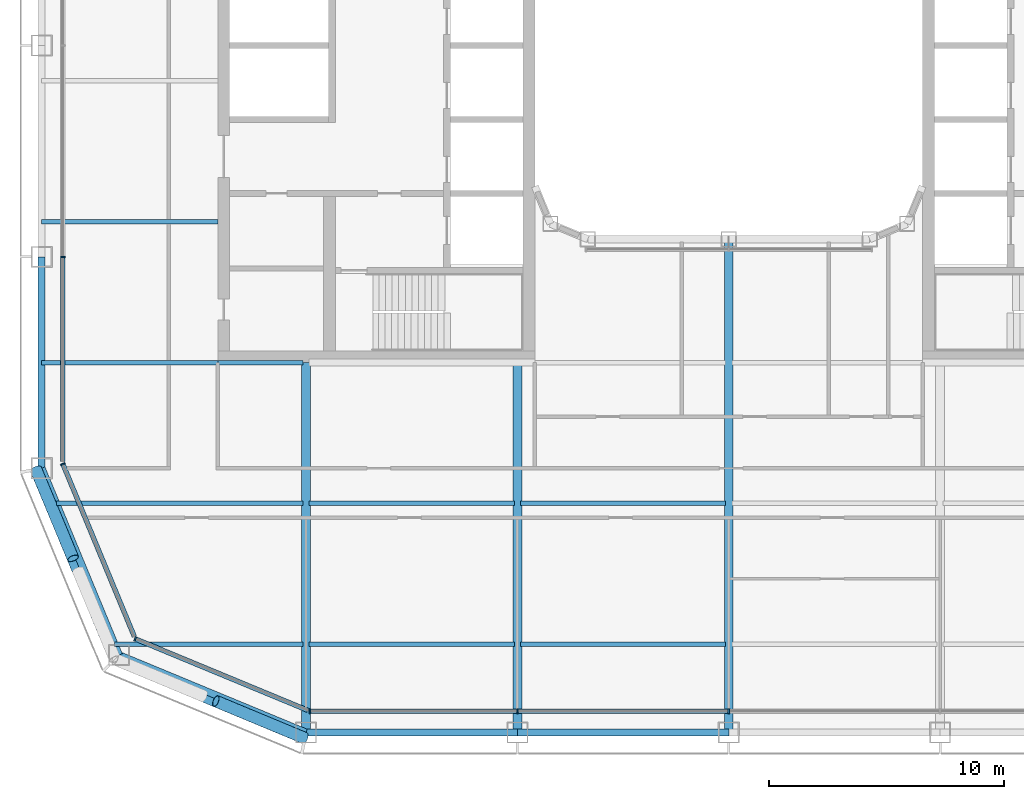
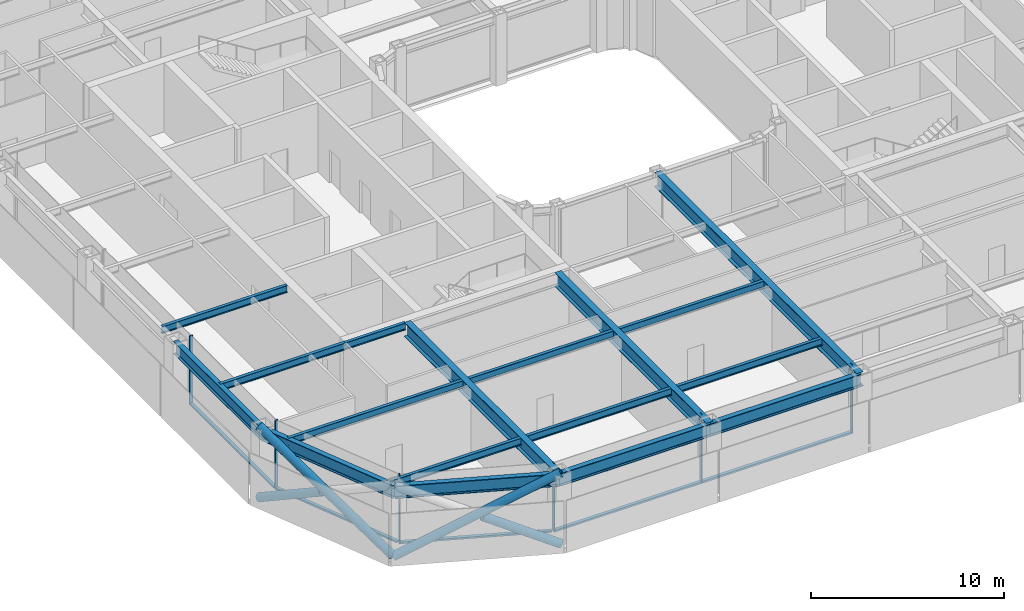
# One storey, part 2 of 21: 17 beams, 15 members, 4 elements without a shape of their own.
"""IFC4 building model written with IfcOpenShell, lengths in metres."""

from ifc_helpers import new_model, si_unit, direction, frame, origin, origin_2d, place, context, subcontext, project, spatial, rectangle, hollow_circle, i_section, extrude, material, layer, layer_set, material_profile, profile_set, type_object, element, aggregate, save


model = new_model("IFC4")

# Units and contexts
model_context = context("Model", 3, precision=1e-05, world=origin(), true_north=direction((0.0, 1.0)))
body_context = subcontext(model_context, "Body", "Model", "MODEL_VIEW")
ifc_project = project(units=[si_unit("LENGTHUNIT", "METRE"), si_unit("AREAUNIT", "SQUARE_METRE"), si_unit("VOLUMEUNIT", "CUBIC_METRE"), si_unit("PLANEANGLEUNIT", "RADIAN"), si_unit("MASSUNIT", "GRAM", prefix="KILO")], contexts=[model_context])

# Site, building, storey
site_placement = place(None, origin())
site = spatial("IfcSite", under=ifc_project, at=site_placement, CompositionType="ELEMENT")
building_placement = place(site_placement, origin())
building = spatial("IfcBuilding", under=site, at=building_placement, Name="Siwar Civic Tower", CompositionType="ELEMENT")
storey_placement = place(building_placement, frame((0.0, 0.0, 158.699951171875)))
storey = spatial("IfcBuildingStorey", under=building, at=storey_placement, Name="L34", CompositionType="ELEMENT", Elevation=158.699951171875)

# Curtain wall, members
ifc_material_1 = material(Name="Aluminium and glass", Category="aluminium")
ifc_layer_1 = layer(ifc_material_1, 0.199951171875)
ifc_layer_set_1 = layer_set([ifc_layer_1], Name="Aluminium and glass")
curtain_wall_type_1 = type_object("IfcCurtainWallType", Name="ENV-CW-B", PredefinedType="NOTDEFINED", material=ifc_layer_set_1)
curtain_wall_1_placement = place(storey_placement, origin())
curtain_wall_1 = element("IfcCurtainWall", 1, at=curtain_wall_1_placement, inside=storey, type_object=curtain_wall_type_1, Name="Curtain wall B S", PredefinedType="NOTDEFINED")
ifc_material_2 = material(Name="Aluminium 6063-T6", Category="aluminium")
ifc_material_profile_1 = material_profile(ifc_material_2, rectangle(XDim=0.199951171875, YDim=0.06494140625, at=origin_2d()), Name="AL 200x65")
ifc_profile_set_1 = profile_set([ifc_material_profile_1], Name="Aluminium 6063-T6")
member_type_1 = type_object("IfcMemberType", Name="ENV-MULLION-B", PredefinedType="MULLION", material=ifc_profile_set_1)
member_1_placement = place(storey_placement, frame((-17.821044921875, -28.35009765625, 0.0), z_axis=(0.0, 0.0, 1.0), x_axis=(0.0, 1.0, 0.0)))
member_1 = element("IfcMember", 2, at=member_1_placement, type_object=member_type_1, Name="Mullion B S 1", PredefinedType="MULLION", context=body_context, shape_type="SweptSolid", body=[
    extrude(rectangle(XDim=0.199951171875, YDim=0.06494140625, at=origin_2d()), origin(), (0.0, 0.0, 1.0), 4.35009765625),
])
member_2_placement = place(storey_placement, frame((-9.0, -28.35009765625, 0.0), z_axis=(0.0, 0.0, 1.0), x_axis=(0.0, 1.0, 0.0)))
member_2 = element("IfcMember", 3, at=member_2_placement, type_object=member_type_1, Name="Mullion B S 2", PredefinedType="MULLION", context=body_context, shape_type="SweptSolid", body=[
    extrude(rectangle(XDim=0.199951171875, YDim=0.06494140625, at=origin_2d()), origin(), (0.0, 0.0, 1.0), 4.35009765625),
])
member_3_placement = place(storey_placement, frame((0.0, -28.35009765625, 0.0), z_axis=(0.0, 0.0, 1.0), x_axis=(0.0, 1.0, 0.0)))
member_3 = element("IfcMember", 4, at=member_3_placement, type_object=member_type_1, Name="Mullion B S 3", PredefinedType="MULLION", context=body_context, shape_type="SweptSolid", body=[
    extrude(rectangle(XDim=0.199951171875, YDim=0.06494140625, at=origin_2d()), origin(), (0.0, 0.0, 1.0), 4.35009765625),
])

# Curtain wall, member
curtain_wall_2_placement = place(storey_placement, origin())
curtain_wall_2 = element("IfcCurtainWall", 5, at=curtain_wall_2_placement, inside=storey, type_object=curtain_wall_type_1, Name="Curtain wall B W", PredefinedType="NOTDEFINED")
member_4_placement = place(storey_placement, frame((-28.35009765625, -9.0, 0.0), z_axis=(0.0, 0.0, 1.0), x_axis=(1.0, 0.0, 0.0)))
member_4 = element("IfcMember", 6, at=member_4_placement, type_object=member_type_1, Name="Mullion B W 4", PredefinedType="MULLION", context=body_context, shape_type="SweptSolid", body=[
    extrude(rectangle(XDim=0.199951171875, YDim=0.06494140625, at=origin_2d()), origin(), (0.0, 0.0, 1.0), 4.35009765625),
])

ifc_material_3 = material(Name="Aluminium clad insulated panel", Category="aluminium")
ifc_layer_2 = layer(ifc_material_3, 0.199951171875)
ifc_layer_set_2 = layer_set([ifc_layer_2], Name="Aluminium clad insulated panel")
curtain_wall_type_2 = type_object("IfcCurtainWallType", Name="ENV-CW-BX", PredefinedType="NOTDEFINED", material=ifc_layer_set_2)
curtain_wall_3_placement = place(storey_placement, origin())
curtain_wall_3 = element("IfcCurtainWall", 7, at=curtain_wall_3_placement, inside=storey, type_object=curtain_wall_type_2, Name="Curtain wall B SW1", PredefinedType="NOTDEFINED")
member_5_placement = place(storey_placement, frame((-28.35009765625, -17.821044921875, 0.0), z_axis=(0.0, 0.0, 1.0), x_axis=(0.923879532511, 0.382683432365, 0.0)))
member_5 = element("IfcMember", 8, at=member_5_placement, type_object=member_type_1, Name="Mullion B SW1 1", PredefinedType="MULLION", context=body_context, shape_type="SweptSolid", body=[
    extrude(rectangle(XDim=0.199951171875, YDim=0.06494140625, at=origin_2d()), origin(), (0.0, 0.0, 1.0), 4.35009765625),
])

curtain_wall_4_placement = place(storey_placement, origin())
curtain_wall_4 = element("IfcCurtainWall", 9, at=curtain_wall_4_placement, inside=storey, type_object=curtain_wall_type_2, Name="Curtain wall B SW2", PredefinedType="NOTDEFINED")
member_6_placement = place(storey_placement, frame((-25.26611328125, -25.26611328125, 0.0), z_axis=(0.0, 0.0, 1.0), x_axis=(0.382683432365, 0.923879532511, 0.0)))
member_6 = element("IfcMember", 10, at=member_6_placement, type_object=member_type_1, Name="Mullion B SW2 1", PredefinedType="MULLION", context=body_context, shape_type="SweptSolid", body=[
    extrude(rectangle(XDim=0.199951171875, YDim=0.06494140625, at=origin_2d()), origin(), (0.0, 0.0, 1.0), 4.35009765625),
])

# Member
ifc_material_4 = material(Name="Aluminium 6063-T6", Category="aluminium")
ifc_material_profile_2 = material_profile(ifc_material_4, rectangle(XDim=0.199951171875, YDim=0.110107421875, at=origin_2d()), Name="AL 200x110")
ifc_profile_set_2 = profile_set([ifc_material_profile_2], Name="Aluminium 6063-T6")
member_type_2 = type_object("IfcMemberType", Name="ENV-TRANSOM-B", PredefinedType="USERDEFINED", material=ifc_profile_set_2)
member_7_placement = place(storey_placement, frame((-17.78857421875, -28.35009765625, 0.054931640625), z_axis=(1.0, 0.0, 0.0), x_axis=(0.0, 1.0, 0.0)))
member_7 = element("IfcMember", 11, at=member_7_placement, type_object=member_type_2, Name="Transom B S 1", ObjectType="TRANSOM", PredefinedType="USERDEFINED", context=body_context, shape_type="SweptSolid", body=[
    extrude(rectangle(XDim=0.199951171875, YDim=0.110107421875, at=origin_2d()), origin(), (0.0, 0.0, 1.0), 8.756103515625),
])

member_8_placement = place(storey_placement, frame((-8.967529296875, -28.35009765625, 0.054931640625), z_axis=(1.0, 0.0, 0.0), x_axis=(0.0, 1.0, 0.0)))
member_8 = element("IfcMember", 12, at=member_8_placement, type_object=member_type_2, Name="Transom B S 2", ObjectType="TRANSOM", PredefinedType="USERDEFINED", context=body_context, shape_type="SweptSolid", body=[
    extrude(rectangle(XDim=0.199951171875, YDim=0.110107421875, at=origin_2d()), origin(), (0.0, 0.0, 1.0), 8.93505859375),
])

aggregate(curtain_wall_1, [member_1, member_2, member_3, member_7, member_8])

member_9_placement = place(storey_placement, frame((-28.35009765625, -9.032470703125, 0.054931640625), z_axis=(0.0, -1.0, 0.0), x_axis=(1.0, 0.0, 0.0)))
member_9 = element("IfcMember", 13, at=member_9_placement, type_object=member_type_2, Name="Transom B W 4", ObjectType="TRANSOM", PredefinedType="USERDEFINED", context=body_context, shape_type="SweptSolid", body=[
    extrude(rectangle(XDim=0.199951171875, YDim=0.110107421875, at=origin_2d()), origin(), (0.0, 0.0, 1.0), 8.6748046875),
])

aggregate(curtain_wall_2, [member_4, member_9])

member_10_placement = place(storey_placement, frame((-28.337646484375, -17.85107421875, 0.054931640625), z_axis=(0.382699695651, -0.92387279587, 0.0), x_axis=(0.92387279587, 0.382699695651, 0.0)))
member_10 = element("IfcMember", 14, at=member_10_placement, type_object=member_type_2, Name="Transom B SW1 1", ObjectType="TRANSOM", PredefinedType="USERDEFINED", context=body_context, shape_type="SweptSolid", body=[
    extrude(rectangle(XDim=0.199951171875, YDim=0.110107421875, at=origin_2d()), origin(), (0.0, 0.0, 1.0), 7.912353515625),
])

aggregate(curtain_wall_3, [member_5, member_10])

member_11_placement = place(storey_placement, frame((-25.236083984375, -25.278564453125, 0.054931640625), z_axis=(0.923883705044, -0.382673358825, 0.0), x_axis=(0.382673358825, 0.923883705044, 0.0)))
member_11 = element("IfcMember", 15, at=member_11_placement, type_object=member_type_2, Name="Transom B SW2 1", ObjectType="TRANSOM", PredefinedType="USERDEFINED", context=body_context, shape_type="SweptSolid", body=[
    extrude(rectangle(XDim=0.199951171875, YDim=0.110107421875, at=origin_2d()), origin(), (0.0, 0.0, 1.0), 7.912353515625),
])

aggregate(curtain_wall_4, [member_6, member_11])

# Members
ifc_material_5 = material(Name="Steel S355", Category="steel")
ifc_material_profile_3 = material_profile(ifc_material_5, hollow_circle(Radius=0.25390625, WallThickness=0.02490234375, at=origin_2d()), Name="CHS508x25")
ifc_profile_set_3 = profile_set([ifc_material_profile_3], Name="Steel S355")
member_type_3 = type_object("IfcMemberType", Name="STR-BR-CHS508x25", PredefinedType="BRACE", material=ifc_profile_set_3)
member_12_placement = place(storey_placement, frame((-26.1318359375, -26.1318359375, 0.0), z_axis=(0.821142553604, -0.341671493852, 0.457149315816), x_axis=(0.384163874976, 0.923264922524, 0.0)))
element("IfcMember", 16, at=member_12_placement, inside=storey, type_object=member_type_3, Name="L34/brc/BSW1-13-0-1", PredefinedType="BRACE", context=body_context, shape_type="SweptSolid", body=[
    extrude(hollow_circle(Radius=0.25390625, WallThickness=0.02490234375, at=origin_2d()), origin(), (0.0, 0.0, 1.0), 9.843505859375),
])
member_13_placement = place(storey_placement, frame((-18.048828125, -29.4951171875, 0.0), z_axis=(-0.821126041429, 0.341677318012, 0.457174621391), x_axis=(-0.384176042158, -0.923259859753, 0.0)))
element("IfcMember", 17, at=member_13_placement, inside=storey, type_object=member_type_3, Name="L34/brc/BSW1-13-0-2", PredefinedType="BRACE", context=body_context, shape_type="SweptSolid", body=[
    extrude(hollow_circle(Radius=0.25390625, WallThickness=0.02490234375, at=origin_2d()), origin(), (0.0, 0.0, 1.0), 4.614501953125),
])
member_14_placement = place(storey_placement, frame((-26.1318359375, -26.1318359375, 0.0), z_axis=(-0.341671493852, 0.821142553604, 0.457149315816), x_axis=(-0.923264922524, -0.384163874976, 0.0)))
element("IfcMember", 18, at=member_14_placement, inside=storey, type_object=member_type_3, Name="L34/brc/BSW1-13-0-0", PredefinedType="BRACE", context=body_context, shape_type="SweptSolid", body=[
    extrude(hollow_circle(Radius=0.25390625, WallThickness=0.02490234375, at=origin_2d()), origin(), (0.0, 0.0, 1.0), 9.843505859375),
])
member_15_placement = place(storey_placement, frame((-29.4951171875, -18.048828125, 0.0), z_axis=(0.341677318012, -0.821126041429, 0.457174621391), x_axis=(0.923259859753, 0.384176042158, 0.0)))
element("IfcMember", 19, at=member_15_placement, inside=storey, type_object=member_type_3, Name="L34/brc/BSW1-13-0-4", PredefinedType="BRACE", context=body_context, shape_type="SweptSolid", body=[
    extrude(hollow_circle(Radius=0.25390625, WallThickness=0.02490234375, at=origin_2d()), origin(), (0.0, 0.0, 1.0), 4.614501953125),
])

# Beams
ifc_material_6 = material(Name="Steel S355", Category="steel")
ifc_material_profile_4 = material_profile(ifc_material_6, i_section(OverallWidth=0.18994140625, OverallDepth=0.449951171875, WebThickness=0.009521484375, FlangeThickness=0.0146484375, FilletRadius=0.02099609375, at=origin_2d()), Name="IPE450")
ifc_profile_set_4 = profile_set([ifc_material_profile_4], Name="Steel S355")
beam_type_1 = type_object("IfcBeamType", Name="STR-FB-IPE450", PredefinedType="JOIST", material=ifc_profile_set_4)
beam_1_placement = place(storey_placement, frame((-26.143310546875, -25.5, 4.125), z_axis=(1.0, 0.0, 0.0), x_axis=(0.0, 1.0, 0.0)))
element("IfcBeam", 20, at=beam_1_placement, inside=storey, type_object=beam_type_1, Name="L34/bm/F001", PredefinedType="JOIST", context=body_context, shape_type="SweptSolid", body=[
    extrude(i_section(OverallWidth=0.18994140625, OverallDepth=0.449951171875, WebThickness=0.009521484375, FlangeThickness=0.0146484375, FilletRadius=0.02099609375, at=origin_2d()), origin(), (0.0, 0.0, 1.0), 8.013427734375),
])
for number, where, z_axis, x_axis, name in (
    (21, (-17.8701171875, -25.5, 4.125), (1.0, 0.0, 0.0), (0.0, 1.0, 0.0), "L34/bm/F002"),
    (22, (-8.8701171875, -25.5, 4.125), (1.0, 0.0, 0.0), (0.0, 1.0, 0.0), "L34/bm/F003"),
):
    element("IfcBeam", number, at=place(storey_placement, frame(where, z_axis=z_axis, x_axis=x_axis)), inside=storey, type_object=beam_type_1, Name=name, PredefinedType="JOIST", context=body_context, shape_type="SweptSolid", body=[
        extrude(i_section(OverallWidth=0.18994140625, OverallDepth=0.449951171875, WebThickness=0.009521484375, FlangeThickness=0.0146484375, FilletRadius=0.02099609375, at=origin_2d()), origin(), (0.0, 0.0, 1.0), 8.740234375),
    ])
beam_2_placement = place(storey_placement, frame((-28.628662109375, -19.5, 4.125), z_axis=(1.0, 0.0, 0.0), x_axis=(0.0, 1.0, 0.0)))
element("IfcBeam", 23, at=beam_2_placement, inside=storey, type_object=beam_type_1, Name="L34/bm/F007", PredefinedType="JOIST", context=body_context, shape_type="SweptSolid", body=[
    extrude(i_section(OverallWidth=0.18994140625, OverallDepth=0.449951171875, WebThickness=0.009521484375, FlangeThickness=0.0146484375, FilletRadius=0.02099609375, at=origin_2d()), origin(), (0.0, 0.0, 1.0), 10.498779296875),
])
for number, where, z_axis, x_axis, name in (
    (24, (-17.8701171875, -19.5, 4.125), (1.0, 0.0, 0.0), (0.0, 1.0, 0.0), "L34/bm/F008"),
    (25, (-8.8701171875, -19.5, 4.125), (1.0, 0.0, 0.0), (0.0, 1.0, 0.0), "L34/bm/F009"),
):
    element("IfcBeam", number, at=place(storey_placement, frame(where, z_axis=z_axis, x_axis=x_axis)), inside=storey, type_object=beam_type_1, Name=name, PredefinedType="JOIST", context=body_context, shape_type="SweptSolid", body=[
        extrude(i_section(OverallWidth=0.18994140625, OverallDepth=0.449951171875, WebThickness=0.009521484375, FlangeThickness=0.0146484375, FilletRadius=0.02099609375, at=origin_2d()), origin(), (0.0, 0.0, 1.0), 8.740234375),
    ])
beam_3_placement = place(storey_placement, frame((-29.25, -13.5, 4.125), z_axis=(1.0, 0.0, 0.0), x_axis=(0.0, 1.0, 0.0)))
element("IfcBeam", 26, at=beam_3_placement, inside=storey, type_object=beam_type_1, Name="L34/bm/F013", PredefinedType="JOIST", context=body_context, shape_type="SweptSolid", body=[
    extrude(i_section(OverallWidth=0.18994140625, OverallDepth=0.449951171875, WebThickness=0.009521484375, FlangeThickness=0.0146484375, FilletRadius=0.02099609375, at=origin_2d()), origin(), (0.0, 0.0, 1.0), 7.5),
])
beam_4_placement = place(storey_placement, frame((-21.75, -13.5, 4.125), z_axis=(1.0, 0.0, 0.0), x_axis=(0.0, 1.0, 0.0)))
element("IfcBeam", 27, at=beam_4_placement, inside=storey, type_object=beam_type_1, Name="L34/bm/F014", PredefinedType="JOIST", context=body_context, shape_type="SweptSolid", body=[
    extrude(i_section(OverallWidth=0.18994140625, OverallDepth=0.449951171875, WebThickness=0.009521484375, FlangeThickness=0.0146484375, FilletRadius=0.02099609375, at=origin_2d()), origin(), (0.0, 0.0, 1.0), 3.6201171875),
])
beam_5_placement = place(storey_placement, frame((-29.25, -7.5, 4.125), z_axis=(1.0, 0.0, 0.0), x_axis=(0.0, 1.0, 0.0)))
element("IfcBeam", 28, at=beam_5_placement, inside=storey, type_object=beam_type_1, Name="L34/bm/F021", PredefinedType="JOIST", context=body_context, shape_type="SweptSolid", body=[
    extrude(i_section(OverallWidth=0.18994140625, OverallDepth=0.449951171875, WebThickness=0.009521484375, FlangeThickness=0.0146484375, FilletRadius=0.02099609375, at=origin_2d()), origin(), (0.0, 0.0, 1.0), 7.5),
])
ifc_material_7 = material(Name="Steel S355", Category="steel")
ifc_material_profile_5 = material_profile(ifc_material_7, i_section(OverallWidth=0.3798828125, OverallDepth=0.89990234375, WebThickness=0.01611328125, FlangeThickness=0.035888671875, at=origin_2d()), Name="PG900x380x16x36")
ifc_profile_set_5 = profile_set([ifc_material_profile_5], Name="Steel S355")
beam_type_2 = type_object("IfcBeamType", Name="STR-PG-PG900x380x16x36", PredefinedType="BEAM", material=ifc_profile_set_5)
for number, where, z_axis, x_axis, name in (
    (29, (-18.0, -29.25, 3.900146484375), (0.0, 1.0, 0.0), (-1.0, 0.0, 0.0), "L34/bm/G01"),
    (30, (-9.0, -29.25, 3.900146484375), (0.0, 1.0, 0.0), (-1.0, 0.0, 0.0), "L34/bm/G03"),
):
    element("IfcBeam", number, at=place(storey_placement, frame(where, z_axis=z_axis, x_axis=x_axis)), inside=storey, type_object=beam_type_2, Name=name, PredefinedType="BEAM", context=body_context, shape_type="SweptSolid", body=[
        extrude(i_section(OverallWidth=0.3798828125, OverallDepth=0.89990234375, WebThickness=0.01611328125, FlangeThickness=0.035888671875, at=origin_2d()), origin(), (0.0, 0.0, 1.0), 15.75),
    ])
beam_6_placement = place(storey_placement, frame((0.0, -29.25, 3.900146484375), z_axis=(0.0, 1.0, 0.0), x_axis=(-1.0, 0.0, 0.0)))
element("IfcBeam", 31, at=beam_6_placement, inside=storey, type_object=beam_type_2, Name="L34/bm/G05", PredefinedType="BEAM", context=body_context, shape_type="SweptSolid", body=[
    extrude(i_section(OverallWidth=0.3798828125, OverallDepth=0.89990234375, WebThickness=0.01611328125, FlangeThickness=0.035888671875, at=origin_2d()), origin(), (0.0, 0.0, 1.0), 21.0),
])
ifc_material_8 = material(Name="Steel S355", Category="steel")
ifc_material_profile_6 = material_profile(ifc_material_8, i_section(OverallWidth=0.300048828125, OverallDepth=0.800048828125, WebThickness=0.017578125, FlangeThickness=0.032958984375, FilletRadius=0.030029296875, at=origin_2d()), Name="HEB800")
ifc_profile_set_6 = profile_set([ifc_material_profile_6], Name="Steel S355")
beam_type_3 = type_object("IfcBeamType", Name="STR-SB-HEB800", PredefinedType="BEAM", material=ifc_profile_set_6)
for number, where, z_axis, x_axis, name in (
    (32, (-18.0, -29.25, 3.949951171875), (1.0, 0.0, 0.0), (0.0, 1.0, 0.0), "L34/bm/SS-0"),
    (33, (-9.0, -29.25, 3.949951171875), (1.0, 0.0, 0.0), (0.0, 1.0, 0.0), "L34/bm/SS-1"),
    (34, (-29.25, -9.0, 3.949951171875), (0.0, -1.0, 0.0), (1.0, 0.0, 0.0), "L34/bm/SW-3"),
):
    element("IfcBeam", number, at=place(storey_placement, frame(where, z_axis=z_axis, x_axis=x_axis)), inside=storey, type_object=beam_type_3, Name=name, PredefinedType="BEAM", context=body_context, shape_type="SweptSolid", body=[
        extrude(i_section(OverallWidth=0.300048828125, OverallDepth=0.800048828125, WebThickness=0.017578125, FlangeThickness=0.032958984375, FilletRadius=0.030029296875, at=origin_2d()), origin(), (0.0, 0.0, 1.0), 9.0),
    ])
for number, where, z_axis, x_axis, name in (
    (35, (-29.25, -18.0, 3.949951171875), (0.382699877515, -0.923872720536, 0.0), (0.923872720536, 0.382699877515, 0.0), "L34/bm/SSW1-0"),
    (36, (-25.954833984375, -25.954833984375, 3.949951171875), (0.923872720536, -0.382699877515, 0.0), (0.382699877515, 0.923872720536, 0.0), "L34/bm/SSW2-0"),
):
    element("IfcBeam", number, at=place(storey_placement, frame(where, z_axis=z_axis, x_axis=x_axis)), inside=storey, type_object=beam_type_3, Name=name, PredefinedType="BEAM", context=body_context, shape_type="SweptSolid", body=[
        extrude(i_section(OverallWidth=0.300048828125, OverallDepth=0.800048828125, WebThickness=0.017578125, FlangeThickness=0.032958984375, FilletRadius=0.030029296875, at=origin_2d()), origin(), (0.0, 0.0, 1.0), 8.6103515625),
    ])

save(model, "model.ifc")
